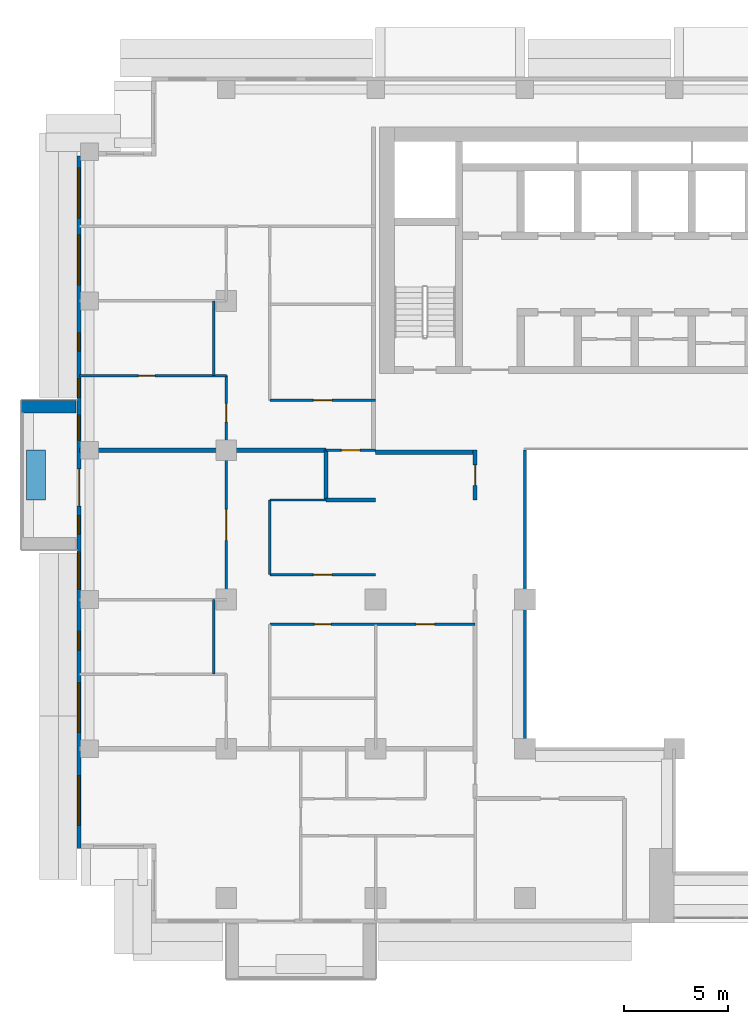
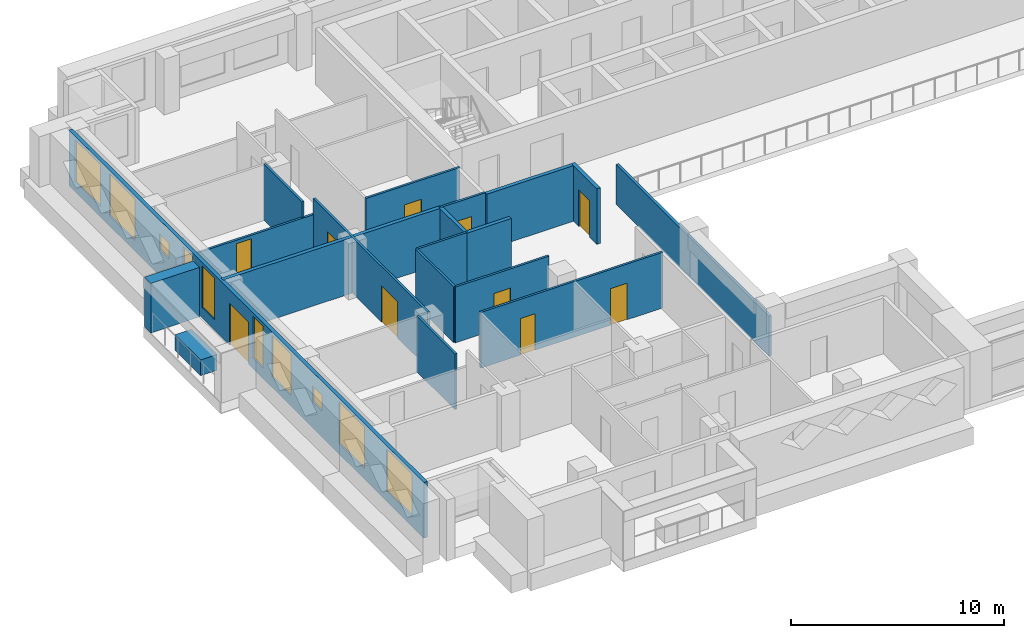
# One storey, part 7 of 20: 19 walls, 10 doors, 10 windows, 20 openings.
"""IFC4 building model written with IfcOpenShell, lengths in metres."""

from ifc_helpers import new_model, si_unit, direction, frame, frame_2d, origin, place, context, subcontext, project, spatial, rectangle, extrude, material, layer, layer_set, type_object, element, fill, save


model = new_model("IFC4")

# Units and contexts
model_context = context("Model", 3, precision=1e-05, world=origin(), true_north=direction((0.0, 1.0)))
body_context = subcontext(model_context, "Body", "Model", "MODEL_VIEW")
ifc_project = project(units=[si_unit("LENGTHUNIT", "METRE"), si_unit("AREAUNIT", "SQUARE_METRE"), si_unit("VOLUMEUNIT", "CUBIC_METRE"), si_unit("PLANEANGLEUNIT", "RADIAN"), si_unit("MASSUNIT", "GRAM", prefix="KILO")], contexts=[model_context])

# Site, building, storey
site_placement = place(None, origin())
site = spatial("IfcSite", under=ifc_project, at=site_placement, CompositionType="ELEMENT")
building_placement = place(site_placement, origin())
building = spatial("IfcBuilding", under=site, at=building_placement, Name="Saffron Iwan Residences", CompositionType="ELEMENT")
storey_placement = place(building_placement, frame((0.0, 0.0, 167.5)))
storey = spatial("IfcBuildingStorey", under=building, at=storey_placement, Name="L44", CompositionType="ELEMENT", Elevation=167.5)

# Walls
ifc_material_1 = material(Name="Fire-rated glazing", Category="glass")
ifc_layer_1 = layer(ifc_material_1, 0.14990234375)
ifc_layer_set_1 = layer_set([ifc_layer_1], Name="Fire-rated glazing")
wall_type_1 = type_object("IfcWallType", Name="Atrium glazed screen 150", PredefinedType="SOLIDWALL", material=ifc_layer_set_1)
wall_1_placement = place(storey_placement, frame((36.0, 48.0, 0.0), z_axis=(0.0, 0.0, 1.0), x_axis=(0.0, 1.0, 0.0)))
element("IfcWall", 1, at=wall_1_placement, inside=storey, type_object=wall_type_1, Name="W-L44-SCREEN-v36-48", PredefinedType="SOLIDWALL", context=body_context, shape_type="SweptSolid", body=[
    extrude(rectangle(XDim=14.39990234375, YDim=0.14990234375, at=frame_2d((7.199951171875, 0.0))), origin(), (0.0, 0.0, 1.0), 2.300048828125),
])
ifc_material_2 = material(Name="Concrete C50/60 white painted", Category="concrete")
ifc_layer_2 = layer(ifc_material_2, 0.60009765625)
ifc_layer_set_2 = layer_set([ifc_layer_2], Name="Concrete C50/60 white painted")
wall_type_2 = type_object("IfcWallType", Name="BALCONY FIN 600", PredefinedType="SOLIDWALL", material=ifc_layer_set_2)
wall_2_placement = place(storey_placement, frame((14.35009765625, 64.5, 0.0), z_axis=(0.0, 0.0, 1.0), x_axis=(-1.0, 0.0, 0.0)))
element("IfcWall", 2, at=wall_2_placement, inside=storey, type_object=wall_type_2, Name="Balcony fin L44 F8-0a", PredefinedType="SOLIDWALL", context=body_context, shape_type="SweptSolid", body=[
    extrude(rectangle(XDim=2.650146484375, YDim=0.60009765625, at=frame_2d((1.3251953125, 0.0))), origin(), (0.0, 0.0, 1.0), 2.85009765625),
])
ifc_material_3 = material(Name="Concrete C35/45 white painted", Category="concrete")
ifc_layer_3 = layer(ifc_material_3, 0.14990234375)
ifc_layer_set_3 = layer_set([ifc_layer_3], Name="Concrete C35/45 white painted")
wall_type_3 = type_object("IfcWallType", Name="BALCONY PLANTER", PredefinedType="SOLIDWALL", material=ifc_layer_set_3)
wall_3_placement = place(storey_placement, frame((12.425048828125, 62.39990234375, 0.0), z_axis=(0.0, 0.0, 1.0), x_axis=(0.0, -1.0, 0.0)))
element("IfcWall", 3, at=wall_3_placement, inside=storey, type_object=wall_type_3, Name="PLANTER L44 F8-0", PredefinedType="SOLIDWALL", context=body_context, shape_type="SweptSolid", body=[
    extrude(rectangle(XDim=2.39990234375, YDim=0.89990234375, at=frame_2d((1.199951171875, 0.0))), origin(), (0.0, 0.0, 1.0), 0.89990234375),
])

# Wall, openings, door, windows
ifc_material_4 = material(Name="Concrete C40/50", Category="concrete")
ifc_layer_4 = layer(ifc_material_4, 0.199951171875)
ifc_layer_set_4 = layer_set([ifc_layer_4], Name="Concrete C40/50")
wall_type_4 = type_object("IfcWallType", Name="EXTERNAL WALL 200", PredefinedType="SOLIDWALL", material=ifc_layer_set_4)
wall_4_placement = place(storey_placement, frame((14.5, 76.60009765625, 0.0), z_axis=(0.0, 0.0, 1.0), x_axis=(0.0, -1.0, 0.0)))
wall_4 = element("IfcWall", 4, at=wall_4_placement, inside=storey, type_object=wall_type_4, Name="External wall L44 F8.0", PredefinedType="SOLIDWALL", context=body_context, shape_type="SweptSolid", body=[
    extrude(rectangle(XDim=33.400146484375, YDim=0.199951171875, at=frame_2d((16.7001953125, 0.0))), origin(), (0.0, 0.0, 1.0), 3.199951171875),
])
opening_1_placement = place(wall_4_placement, frame((15.10009765625, 0.0, 0.0)))
opening_1 = element("IfcOpeningElement", 5, at=opening_1_placement, cuts=wall_4, Name="Opening BD1", PredefinedType="OPENING", context=body_context, shape_type="SweptSolid", body=[
    extrude(rectangle(XDim=1.800048828125, YDim=2.39990234375, at=frame_2d((0.89990234375, 1.199951171875))), frame((0.0, 0.10986328125, 0.0), z_axis=(0.0, -1.0, 0.0), x_axis=(1.0, 0.0, 0.0)), (0.0, 0.0, 1.0), 0.219970703125),
])
opening_2_placement = place(wall_4_placement, frame((29.887451171875, 0.0, 0.60009765625)))
opening_2 = element("IfcOpeningElement", 6, at=opening_2_placement, cuts=wall_4, Name="Opening W1", PredefinedType="OPENING", context=body_context, shape_type="SweptSolid", body=[
    extrude(rectangle(XDim=2.39990234375, YDim=2.39990234375, at=frame_2d((1.199951171875, 1.199951171875))), frame((0.0, 0.10986328125, 0.0), z_axis=(0.0, -1.0, 0.0), x_axis=(1.0, 0.0, 0.0)), (0.0, 0.0, 1.0), 0.219970703125),
])
opening_3_placement = place(wall_4_placement, frame((25.41259765625, 0.0, 0.60009765625)))
opening_3 = element("IfcOpeningElement", 7, at=opening_3_placement, cuts=wall_4, Name="Opening W1", PredefinedType="OPENING", context=body_context, shape_type="SweptSolid", body=[
    extrude(rectangle(XDim=2.39990234375, YDim=2.39990234375, at=frame_2d((1.199951171875, 1.199951171875))), frame((0.0, 0.10986328125, 0.0), z_axis=(0.0, -1.0, 0.0), x_axis=(1.0, 0.0, 0.0)), (0.0, 0.0, 1.0), 0.219970703125),
])
opening_4_placement = place(wall_4_placement, frame((22.9375, 0.0, 1.5)))
opening_4 = element("IfcOpeningElement", 8, at=opening_4_placement, cuts=wall_4, Name="Opening W6", PredefinedType="OPENING", context=body_context, shape_type="SweptSolid", body=[
    extrude(rectangle(XDim=0.89990234375, YDim=0.89990234375, at=frame_2d((0.449951171875, 0.449951171875))), frame((0.0, 0.10986328125, 0.0), z_axis=(0.0, -1.0, 0.0), x_axis=(1.0, 0.0, 0.0)), (0.0, 0.0, 1.0), 0.219970703125),
])
opening_5_placement = place(wall_4_placement, frame((17.35009765625, 0.0, 0.60009765625)))
opening_5 = element("IfcOpeningElement", 9, at=opening_5_placement, cuts=wall_4, Name="Opening W10", PredefinedType="OPENING", context=body_context, shape_type="SweptSolid", body=[
    extrude(rectangle(XDim=0.89990234375, YDim=2.39990234375, at=frame_2d((0.449951171875, 1.199951171875))), frame((0.0, 0.10986328125, 0.0), z_axis=(0.0, -1.0, 0.0), x_axis=(1.0, 0.0, 0.0)), (0.0, 0.0, 1.0), 0.219970703125),
])
opening_6_placement = place(wall_4_placement, frame((19.112548828125, 0.0, 0.60009765625)))
opening_6 = element("IfcOpeningElement", 10, at=opening_6_placement, cuts=wall_4, Name="Opening W8", PredefinedType="OPENING", context=body_context, shape_type="SweptSolid", body=[
    extrude(rectangle(XDim=1.800048828125, YDim=2.39990234375, at=frame_2d((0.89990234375, 1.199951171875))), frame((0.0, 0.10986328125, 0.0), z_axis=(0.0, -1.0, 0.0), x_axis=(1.0, 0.0, 0.0)), (0.0, 0.0, 1.0), 0.219970703125),
])
opening_7_placement = place(wall_4_placement, frame((10.75, 0.0, 0.60009765625)))
opening_7 = element("IfcOpeningElement", 11, at=opening_7_placement, cuts=wall_4, Name="Opening W10", PredefinedType="OPENING", context=body_context, shape_type="SweptSolid", body=[
    extrude(rectangle(XDim=0.89990234375, YDim=2.39990234375, at=frame_2d((0.449951171875, 1.199951171875))), frame((0.0, 0.10986328125, 0.0), z_axis=(0.0, -1.0, 0.0), x_axis=(1.0, 0.0, 0.0)), (0.0, 0.0, 1.0), 0.219970703125),
])
opening_8_placement = place(wall_4_placement, frame((12.512451171875, 0.0, 0.60009765625)))
opening_8 = element("IfcOpeningElement", 12, at=opening_8_placement, cuts=wall_4, Name="Opening W3", PredefinedType="OPENING", context=body_context, shape_type="SweptSolid", body=[
    extrude(rectangle(XDim=1.199951171875, YDim=2.39990234375, at=frame_2d((0.60009765625, 1.199951171875))), frame((0.0, 0.10986328125, 0.0), z_axis=(0.0, -1.0, 0.0), x_axis=(1.0, 0.0, 0.0)), (0.0, 0.0, 1.0), 0.219970703125),
])
opening_9_placement = place(wall_4_placement, frame((8.53759765625, 0.0, 1.5)))
opening_9 = element("IfcOpeningElement", 13, at=opening_9_placement, cuts=wall_4, Name="Opening W6", PredefinedType="OPENING", context=body_context, shape_type="SweptSolid", body=[
    extrude(rectangle(XDim=0.89990234375, YDim=0.89990234375, at=frame_2d((0.449951171875, 0.449951171875))), frame((0.0, 0.10986328125, 0.0), z_axis=(0.0, -1.0, 0.0), x_axis=(1.0, 0.0, 0.0)), (0.0, 0.0, 1.0), 0.219970703125),
])
opening_10_placement = place(wall_4_placement, frame((3.8125, 0.0, 0.60009765625)))
opening_10 = element("IfcOpeningElement", 14, at=opening_10_placement, cuts=wall_4, Name="Opening W1", PredefinedType="OPENING", context=body_context, shape_type="SweptSolid", body=[
    extrude(rectangle(XDim=2.39990234375, YDim=2.39990234375, at=frame_2d((1.199951171875, 1.199951171875))), frame((0.0, 0.10986328125, 0.0), z_axis=(0.0, -1.0, 0.0), x_axis=(1.0, 0.0, 0.0)), (0.0, 0.0, 1.0), 0.219970703125),
])
opening_11_placement = place(wall_4_placement, frame((0.60009765625, 0.0, 0.60009765625)))
opening_11 = element("IfcOpeningElement", 15, at=opening_11_placement, cuts=wall_4, Name="Opening W1", PredefinedType="OPENING", context=body_context, shape_type="SweptSolid", body=[
    extrude(rectangle(XDim=2.39990234375, YDim=2.39990234375, at=frame_2d((1.199951171875, 1.199951171875))), frame((0.0, 0.10986328125, 0.0), z_axis=(0.0, -1.0, 0.0), x_axis=(1.0, 0.0, 0.0)), (0.0, 0.0, 1.0), 0.219970703125),
])
ifc_material_5 = material(Name="Clear glass, laminated double glazed", Category="glass")
door_type_1 = type_object("IfcDoorType", Name="BALCONY DOOR 1800 x 2400", OperationType="DOUBLE_DOOR_SLIDING", PredefinedType="DOOR", material=ifc_material_5)
door_1_placement = place(opening_1_placement, origin())
door_1 = element("IfcDoor", 16, at=door_1_placement, inside=storey, type_object=door_type_1, Name="Balcony door L44 F8.0", OperationType="DOUBLE_DOOR_SLIDING", OverallHeight=2.39990234375, OverallWidth=1.800048828125, PredefinedType="DOOR", context=body_context, shape_type="SweptSolid", body=[
    extrude(rectangle(XDim=1.800048828125, YDim=2.39990234375, at=frame_2d((0.89990234375, 1.199951171875))), frame((0.0, 0.02490234375, 0.0), z_axis=(0.0, -1.0, 0.0), x_axis=(1.0, 0.0, 0.0)), (0.0, 0.0, 1.0), 0.050048828125),
])
fill(opening_1, door_1)
window_type_1 = type_object("IfcWindowType", Name="WINDOW 1200 x 2400", PartitioningType="SINGLE_PANEL", PredefinedType="WINDOW", material=ifc_material_5)
window_1_placement = place(opening_8_placement, origin())
window_1 = element("IfcWindow", 17, at=window_1_placement, inside=storey, type_object=window_type_1, Name="Window L44 F8.7", OverallHeight=2.39990234375, OverallWidth=1.199951171875, PartitioningType="SINGLE_PANEL", PredefinedType="WINDOW", context=body_context, shape_type="SweptSolid", body=[
    extrude(rectangle(XDim=1.199951171875, YDim=2.39990234375, at=frame_2d((0.60009765625, 1.199951171875))), frame((0.0, 0.030029296875, 0.0), z_axis=(0.0, -1.0, 0.0), x_axis=(1.0, 0.0, 0.0)), (0.0, 0.0, 1.0), 0.06005859375),
])
fill(opening_8, window_1)
window_type_2 = type_object("IfcWindowType", Name="WINDOW 1800 x 2400", PartitioningType="DOUBLE_PANEL_VERTICAL", PredefinedType="WINDOW", material=ifc_material_5)
window_2_placement = place(opening_6_placement, origin())
window_2 = element("IfcWindow", 18, at=window_2_placement, inside=storey, type_object=window_type_2, Name="Window L44 F8.5", OverallHeight=2.39990234375, OverallWidth=1.800048828125, PartitioningType="DOUBLE_PANEL_VERTICAL", PredefinedType="WINDOW", context=body_context, shape_type="SweptSolid", body=[
    extrude(rectangle(XDim=1.800048828125, YDim=2.39990234375, at=frame_2d((0.89990234375, 1.199951171875))), frame((0.0, 0.030029296875, 0.0), z_axis=(0.0, -1.0, 0.0), x_axis=(1.0, 0.0, 0.0)), (0.0, 0.0, 1.0), 0.06005859375),
])
fill(opening_6, window_2)
window_type_3 = type_object("IfcWindowType", Name="WINDOW 2400 x 2400", PartitioningType="DOUBLE_PANEL_VERTICAL", PredefinedType="WINDOW", material=ifc_material_5)
window_3_placement = place(opening_2_placement, origin())
window_3 = element("IfcWindow", 19, at=window_3_placement, inside=storey, type_object=window_type_3, Name="Window L44 F8.1", OverallHeight=2.39990234375, OverallWidth=2.39990234375, PartitioningType="DOUBLE_PANEL_VERTICAL", PredefinedType="WINDOW", context=body_context, shape_type="SweptSolid", body=[
    extrude(rectangle(XDim=2.39990234375, YDim=2.39990234375, at=frame_2d((1.199951171875, 1.199951171875))), frame((0.0, 0.030029296875, 0.0), z_axis=(0.0, -1.0, 0.0), x_axis=(1.0, 0.0, 0.0)), (0.0, 0.0, 1.0), 0.06005859375),
])
fill(opening_2, window_3)
window_4_placement = place(opening_3_placement, origin())
window_4 = element("IfcWindow", 20, at=window_4_placement, inside=storey, type_object=window_type_3, Name="Window L44 F8.2", OverallHeight=2.39990234375, OverallWidth=2.39990234375, PartitioningType="DOUBLE_PANEL_VERTICAL", PredefinedType="WINDOW", context=body_context, shape_type="SweptSolid", body=[
    extrude(rectangle(XDim=2.39990234375, YDim=2.39990234375, at=frame_2d((1.199951171875, 1.199951171875))), frame((0.0, 0.030029296875, 0.0), z_axis=(0.0, -1.0, 0.0), x_axis=(1.0, 0.0, 0.0)), (0.0, 0.0, 1.0), 0.06005859375),
])
fill(opening_3, window_4)
window_5_placement = place(opening_10_placement, origin())
window_5 = element("IfcWindow", 21, at=window_5_placement, inside=storey, type_object=window_type_3, Name="Window L44 F8.9", OverallHeight=2.39990234375, OverallWidth=2.39990234375, PartitioningType="DOUBLE_PANEL_VERTICAL", PredefinedType="WINDOW", context=body_context, shape_type="SweptSolid", body=[
    extrude(rectangle(XDim=2.39990234375, YDim=2.39990234375, at=frame_2d((1.199951171875, 1.199951171875))), frame((0.0, 0.030029296875, 0.0), z_axis=(0.0, -1.0, 0.0), x_axis=(1.0, 0.0, 0.0)), (0.0, 0.0, 1.0), 0.06005859375),
])
fill(opening_10, window_5)
window_6_placement = place(opening_11_placement, origin())
window_6 = element("IfcWindow", 22, at=window_6_placement, inside=storey, type_object=window_type_3, Name="Window L44 F8.10", OverallHeight=2.39990234375, OverallWidth=2.39990234375, PartitioningType="DOUBLE_PANEL_VERTICAL", PredefinedType="WINDOW", context=body_context, shape_type="SweptSolid", body=[
    extrude(rectangle(XDim=2.39990234375, YDim=2.39990234375, at=frame_2d((1.199951171875, 1.199951171875))), frame((0.0, 0.030029296875, 0.0), z_axis=(0.0, -1.0, 0.0), x_axis=(1.0, 0.0, 0.0)), (0.0, 0.0, 1.0), 0.06005859375),
])
fill(opening_11, window_6)
window_type_4 = type_object("IfcWindowType", Name="WINDOW 900 x 2400", PartitioningType="SINGLE_PANEL", PredefinedType="WINDOW", material=ifc_material_5)
window_7_placement = place(opening_5_placement, origin())
window_7 = element("IfcWindow", 23, at=window_7_placement, inside=storey, type_object=window_type_4, Name="Window L44 F8.4", OverallHeight=2.39990234375, OverallWidth=0.89990234375, PartitioningType="SINGLE_PANEL", PredefinedType="WINDOW", context=body_context, shape_type="SweptSolid", body=[
    extrude(rectangle(XDim=0.89990234375, YDim=2.39990234375, at=frame_2d((0.449951171875, 1.199951171875))), frame((0.0, 0.030029296875, 0.0), z_axis=(0.0, -1.0, 0.0), x_axis=(1.0, 0.0, 0.0)), (0.0, 0.0, 1.0), 0.06005859375),
])
fill(opening_5, window_7)
window_8_placement = place(opening_7_placement, origin())
window_8 = element("IfcWindow", 24, at=window_8_placement, inside=storey, type_object=window_type_4, Name="Window L44 F8.6", OverallHeight=2.39990234375, OverallWidth=0.89990234375, PartitioningType="SINGLE_PANEL", PredefinedType="WINDOW", context=body_context, shape_type="SweptSolid", body=[
    extrude(rectangle(XDim=0.89990234375, YDim=2.39990234375, at=frame_2d((0.449951171875, 1.199951171875))), frame((0.0, 0.030029296875, 0.0), z_axis=(0.0, -1.0, 0.0), x_axis=(1.0, 0.0, 0.0)), (0.0, 0.0, 1.0), 0.06005859375),
])
fill(opening_7, window_8)
window_type_5 = type_object("IfcWindowType", Name="WINDOW 900 x 900 BATH", PartitioningType="SINGLE_PANEL", PredefinedType="WINDOW", material=ifc_material_5)
window_9_placement = place(opening_4_placement, origin())
window_9 = element("IfcWindow", 25, at=window_9_placement, inside=storey, type_object=window_type_5, Name="Window L44 F8.3", OverallHeight=0.89990234375, OverallWidth=0.89990234375, PartitioningType="SINGLE_PANEL", PredefinedType="WINDOW", context=body_context, shape_type="SweptSolid", body=[
    extrude(rectangle(XDim=0.89990234375, YDim=0.89990234375, at=frame_2d((0.449951171875, 0.449951171875))), frame((0.0, 0.030029296875, 0.0), z_axis=(0.0, -1.0, 0.0), x_axis=(1.0, 0.0, 0.0)), (0.0, 0.0, 1.0), 0.06005859375),
])
fill(opening_4, window_9)
window_10_placement = place(opening_9_placement, origin())
window_10 = element("IfcWindow", 26, at=window_10_placement, inside=storey, type_object=window_type_5, Name="Window L44 F8.8", OverallHeight=0.89990234375, OverallWidth=0.89990234375, PartitioningType="SINGLE_PANEL", PredefinedType="WINDOW", context=body_context, shape_type="SweptSolid", body=[
    extrude(rectangle(XDim=0.89990234375, YDim=0.89990234375, at=frame_2d((0.449951171875, 0.449951171875))), frame((0.0, 0.030029296875, 0.0), z_axis=(0.0, -1.0, 0.0), x_axis=(1.0, 0.0, 0.0)), (0.0, 0.0, 1.0), 0.06005859375),
])
fill(opening_9, window_10)

# Walls
ifc_material_6 = material(Name="Fire-rated gypsum board wall")
ifc_layer_5 = layer(ifc_material_6, 0.199951171875)
ifc_layer_set_5 = layer_set([ifc_layer_5], Name="Fire-rated gypsum board wall")
wall_type_5 = type_object("IfcWallType", Name="Flat demising wall 200", PredefinedType="SOLIDWALL", material=ifc_layer_set_5)
wall_5_placement = place(storey_placement, frame((26.39990234375, 60.0, 0.0), z_axis=(0.0, 0.0, 1.0), x_axis=(1.0, 0.0, 0.0)))
element("IfcWall", 27, at=wall_5_placement, inside=storey, type_object=wall_type_5, Name="W-L44-DEMISE-h60-26.4", PredefinedType="SOLIDWALL", context=body_context, shape_type="SweptSolid", body=[
    extrude(rectangle(XDim=2.400146484375, YDim=0.199951171875, at=frame_2d((1.2001953125, 0.0))), origin(), (0.0, 0.0, 1.0), 3.199951171875),
])
wall_6_placement = place(storey_placement, frame((14.52490234375, 62.39990234375, 0.0), z_axis=(0.0, 0.0, 1.0), x_axis=(1.0, 0.0, 0.0)))
element("IfcWall", 28, at=wall_6_placement, inside=storey, type_object=wall_type_5, Name="W-L44-DEMISE-h62.4-14.525", PredefinedType="SOLIDWALL", context=body_context, shape_type="SweptSolid", body=[
    extrude(rectangle(XDim=11.875, YDim=0.199951171875, at=frame_2d((5.9375, 0.0))), origin(), (0.0, 0.0, 1.0), 3.199951171875),
])
wall_7_placement = place(storey_placement, frame((26.39990234375, 60.0, 0.0), z_axis=(0.0, 0.0, 1.0), x_axis=(0.0, 1.0, 0.0)))
element("IfcWall", 29, at=wall_7_placement, inside=storey, type_object=wall_type_5, Name="W-L44-DEMISE-v26.4-60", PredefinedType="SOLIDWALL", context=body_context, shape_type="SweptSolid", body=[
    extrude(rectangle(XDim=2.39990234375, YDim=0.199951171875, at=frame_2d((1.199951171875, 0.0))), origin(), (0.0, 0.0, 1.0), 3.199951171875),
])

# Wall, openings, doors
ifc_material_7 = material(Name="Gypsum board partition")
ifc_layer_6 = layer(ifc_material_7, 0.1201171875)
ifc_layer_set_6 = layer_set([ifc_layer_6], Name="Gypsum board partition")
wall_type_6 = type_object("IfcWallType", Name="Flat partition 120", PredefinedType="PARTITIONING", material=ifc_layer_set_6)
wall_8_placement = place(storey_placement, frame((23.699951171875, 54.0, 0.0), z_axis=(0.0, 0.0, 1.0), x_axis=(1.0, 0.0, 0.0)))
wall_8 = element("IfcWall", 30, at=wall_8_placement, inside=storey, type_object=wall_type_6, Name="W-L44-PART-h54-23.7", PredefinedType="PARTITIONING", context=body_context, shape_type="SweptSolid", body=[
    extrude(rectangle(XDim=9.900146484375, YDim=0.1201171875, at=frame_2d((4.9501953125, 0.0))), origin(), (0.0, 0.0, 1.0), 3.199951171875),
])
opening_12_placement = place(wall_8_placement, frame((2.14990234375, 0.0, 0.0)))
opening_12 = element("IfcOpeningElement", 31, at=opening_12_placement, cuts=wall_8, Name="Opening FD3", PredefinedType="OPENING", context=body_context, shape_type="SweptSolid", body=[
    extrude(rectangle(XDim=0.800048828125, YDim=2.10009765625, at=frame_2d((0.39990234375, 1.050048828125))), frame((0.0, 0.070068359375, 0.0), z_axis=(0.0, -1.0, 0.0), x_axis=(1.0, 0.0, 0.0)), (0.0, 0.0, 1.0), 0.14013671875),
])
opening_13_placement = place(wall_8_placement, frame((7.050048828125, 0.0, 0.0)))
opening_13 = element("IfcOpeningElement", 32, at=opening_13_placement, cuts=wall_8, Name="Opening FD2", PredefinedType="OPENING", context=body_context, shape_type="SweptSolid", body=[
    extrude(rectangle(XDim=0.89990234375, YDim=2.10009765625, at=frame_2d((0.449951171875, 1.050048828125))), frame((0.0, 0.070068359375, 0.0), z_axis=(0.0, -1.0, 0.0), x_axis=(1.0, 0.0, 0.0)), (0.0, 0.0, 1.0), 0.14013671875),
])
ifc_material_8 = material(Name="Timber door", Category="wood")
door_type_2 = type_object("IfcDoorType", Name="Bathroom door 800", OperationType="NOTDEFINED", PredefinedType="DOOR", material=ifc_material_8)
door_2_placement = place(opening_12_placement, origin())
door_2 = element("IfcDoor", 33, at=door_2_placement, inside=storey, type_object=door_type_2, Name="Door L44-013", OperationType="SINGLE_SWING_LEFT", OverallHeight=2.10009765625, OverallWidth=0.800048828125, PredefinedType="DOOR", context=body_context, shape_type="SweptSolid", body=[
    extrude(rectangle(XDim=0.800048828125, YDim=2.10009765625, at=frame_2d((0.39990234375, 1.050048828125))), frame((0.0, 0.02490234375, 0.0), z_axis=(0.0, -1.0, 0.0), x_axis=(1.0, 0.0, 0.0)), (0.0, 0.0, 1.0), 0.050048828125),
])
fill(opening_12, door_2)
door_type_3 = type_object("IfcDoorType", Name="Flat door 900", OperationType="NOTDEFINED", PredefinedType="DOOR", material=ifc_material_8)
door_3_placement = place(opening_13_placement, origin())
door_3 = element("IfcDoor", 34, at=door_3_placement, inside=storey, type_object=door_type_3, Name="Door L44-015", OperationType="SINGLE_SWING_LEFT", OverallHeight=2.10009765625, OverallWidth=0.89990234375, PredefinedType="DOOR", context=body_context, shape_type="SweptSolid", body=[
    extrude(rectangle(XDim=0.89990234375, YDim=2.10009765625, at=frame_2d((0.449951171875, 1.050048828125))), frame((0.0, 0.02490234375, 0.0), z_axis=(0.0, -1.0, 0.0), x_axis=(1.0, 0.0, 0.0)), (0.0, 0.0, 1.0), 0.050048828125),
])
fill(opening_13, door_3)

# Wall, opening, door
wall_9_placement = place(storey_placement, frame((23.699951171875, 56.39990234375, 0.0), z_axis=(0.0, 0.0, 1.0), x_axis=(1.0, 0.0, 0.0)))
wall_9 = element("IfcWall", 35, at=wall_9_placement, inside=storey, type_object=wall_type_6, Name="W-L44-PART-h56.4-23.7", PredefinedType="PARTITIONING", context=body_context, shape_type="SweptSolid", body=[
    extrude(rectangle(XDim=5.10009765625, YDim=0.1201171875, at=frame_2d((2.550048828125, 0.0))), origin(), (0.0, 0.0, 1.0), 3.199951171875),
])
opening_14_placement = place(wall_9_placement, frame((2.10009765625, 0.0, 0.0)))
opening_14 = element("IfcOpeningElement", 36, at=opening_14_placement, cuts=wall_9, Name="Opening FD2", PredefinedType="OPENING", context=body_context, shape_type="SweptSolid", body=[
    extrude(rectangle(XDim=0.89990234375, YDim=2.10009765625, at=frame_2d((0.449951171875, 1.050048828125))), frame((0.0, 0.070068359375, 0.0), z_axis=(0.0, -1.0, 0.0), x_axis=(1.0, 0.0, 0.0)), (0.0, 0.0, 1.0), 0.14013671875),
])
door_4_placement = place(opening_14_placement, origin())
door_4 = element("IfcDoor", 37, at=door_4_placement, inside=storey, type_object=door_type_3, Name="Door L44-014", OperationType="SINGLE_SWING_RIGHT", OverallHeight=2.10009765625, OverallWidth=0.89990234375, PredefinedType="DOOR", context=body_context, shape_type="SweptSolid", body=[
    extrude(rectangle(XDim=0.89990234375, YDim=2.10009765625, at=frame_2d((0.449951171875, 1.050048828125))), frame((0.0, 0.02490234375, 0.0), z_axis=(0.0, -1.0, 0.0), x_axis=(1.0, 0.0, 0.0)), (0.0, 0.0, 1.0), 0.050048828125),
])
fill(opening_14, door_4)

# Wall
wall_10_placement = place(storey_placement, frame((23.699951171875, 60.0, 0.0), z_axis=(0.0, 0.0, 1.0), x_axis=(1.0, 0.0, 0.0)))
element("IfcWall", 38, at=wall_10_placement, inside=storey, type_object=wall_type_6, Name="W-L44-PART-h60-23.7", PredefinedType="PARTITIONING", context=body_context, shape_type="SweptSolid", body=[
    extrude(rectangle(XDim=2.699951171875, YDim=0.1201171875, at=frame_2d((1.35009765625, 0.0))), origin(), (0.0, 0.0, 1.0), 3.199951171875),
])

# Wall, opening, door
wall_11_placement = place(storey_placement, frame((26.39990234375, 62.39990234375, 0.0), z_axis=(0.0, 0.0, 1.0), x_axis=(1.0, 0.0, 0.0)))
wall_11 = element("IfcWall", 39, at=wall_11_placement, inside=storey, type_object=wall_type_6, Name="W-L44-PART-h62.4-26.4", PredefinedType="PARTITIONING", context=body_context, shape_type="SweptSolid", body=[
    extrude(rectangle(XDim=2.400146484375, YDim=0.1201171875, at=frame_2d((1.2001953125, 0.0))), origin(), (0.0, 0.0, 1.0), 3.199951171875),
])
opening_15_placement = place(wall_11_placement, frame((0.75, 0.0, 0.0)))
opening_15 = element("IfcOpeningElement", 40, at=opening_15_placement, cuts=wall_11, Name="Opening FD2", PredefinedType="OPENING", context=body_context, shape_type="SweptSolid", body=[
    extrude(rectangle(XDim=0.89990234375, YDim=2.10009765625, at=frame_2d((0.449951171875, 1.050048828125))), frame((0.0, 0.070068359375, 0.0), z_axis=(0.0, -1.0, 0.0), x_axis=(1.0, 0.0, 0.0)), (0.0, 0.0, 1.0), 0.14013671875),
])
door_5_placement = place(opening_15_placement, origin())
door_5 = element("IfcDoor", 41, at=door_5_placement, inside=storey, type_object=door_type_3, Name="Door L44-025", OperationType="SINGLE_SWING_LEFT", OverallHeight=2.10009765625, OverallWidth=0.89990234375, PredefinedType="DOOR", context=body_context, shape_type="SweptSolid", body=[
    extrude(rectangle(XDim=0.89990234375, YDim=2.10009765625, at=frame_2d((0.449951171875, 1.050048828125))), frame((0.0, 0.02490234375, 0.0), z_axis=(0.0, -1.0, 0.0), x_axis=(1.0, 0.0, 0.0)), (0.0, 0.0, 1.0), 0.050048828125),
])
fill(opening_15, door_5)

wall_12_placement = place(storey_placement, frame((23.699951171875, 64.800048828125, 0.0), z_axis=(0.0, 0.0, 1.0), x_axis=(1.0, 0.0, 0.0)))
wall_12 = element("IfcWall", 42, at=wall_12_placement, inside=storey, type_object=wall_type_6, Name="W-L44-PART-h64.8-23.7", PredefinedType="PARTITIONING", context=body_context, shape_type="SweptSolid", body=[
    extrude(rectangle(XDim=5.10009765625, YDim=0.1201171875, at=frame_2d((2.550048828125, 0.0))), origin(), (0.0, 0.0, 1.0), 3.199951171875),
])
opening_16_placement = place(wall_12_placement, frame((2.10009765625, 0.0, 0.0)))
opening_16 = element("IfcOpeningElement", 43, at=opening_16_placement, cuts=wall_12, Name="Opening FD2", PredefinedType="OPENING", context=body_context, shape_type="SweptSolid", body=[
    extrude(rectangle(XDim=0.89990234375, YDim=2.10009765625, at=frame_2d((0.449951171875, 1.050048828125))), frame((0.0, 0.070068359375, 0.0), z_axis=(0.0, -1.0, 0.0), x_axis=(1.0, 0.0, 0.0)), (0.0, 0.0, 1.0), 0.14013671875),
])
door_6_placement = place(opening_16_placement, origin())
door_6 = element("IfcDoor", 44, at=door_6_placement, inside=storey, type_object=door_type_3, Name="Door L44-031", OperationType="SINGLE_SWING_LEFT", OverallHeight=2.10009765625, OverallWidth=0.89990234375, PredefinedType="DOOR", context=body_context, shape_type="SweptSolid", body=[
    extrude(rectangle(XDim=0.89990234375, YDim=2.10009765625, at=frame_2d((0.449951171875, 1.050048828125))), frame((0.0, 0.02490234375, 0.0), z_axis=(0.0, -1.0, 0.0), x_axis=(1.0, 0.0, 0.0)), (0.0, 0.0, 1.0), 0.050048828125),
])
fill(opening_16, door_6)

wall_13_placement = place(storey_placement, frame((14.52490234375, 66.0, 0.0), z_axis=(0.0, 0.0, 1.0), x_axis=(1.0, 0.0, 0.0)))
wall_13 = element("IfcWall", 45, at=wall_13_placement, inside=storey, type_object=wall_type_6, Name="W-L44-PART-h66-14.525", PredefinedType="PARTITIONING", context=body_context, shape_type="SweptSolid", body=[
    extrude(rectangle(XDim=7.0751953125, YDim=0.1201171875, at=frame_2d((3.53759765625, 0.0))), origin(), (0.0, 0.0, 1.0), 2.300048828125),
])
opening_17_placement = place(wall_13_placement, frame((2.83740234375, 0.0, 0.0)))
opening_17 = element("IfcOpeningElement", 46, at=opening_17_placement, cuts=wall_13, Name="Opening FD3", PredefinedType="OPENING", context=body_context, shape_type="SweptSolid", body=[
    extrude(rectangle(XDim=0.800048828125, YDim=2.10009765625, at=frame_2d((0.39990234375, 1.050048828125))), frame((0.0, 0.070068359375, 0.0), z_axis=(0.0, -1.0, 0.0), x_axis=(1.0, 0.0, 0.0)), (0.0, 0.0, 1.0), 0.14013671875),
])
door_7_placement = place(opening_17_placement, origin())
door_7 = element("IfcDoor", 47, at=door_7_placement, inside=storey, type_object=door_type_2, Name="Door L44-028", OperationType="SINGLE_SWING_LEFT", OverallHeight=2.10009765625, OverallWidth=0.800048828125, PredefinedType="DOOR", context=body_context, shape_type="SweptSolid", body=[
    extrude(rectangle(XDim=0.800048828125, YDim=2.10009765625, at=frame_2d((0.39990234375, 1.050048828125))), frame((0.0, 0.02490234375, 0.0), z_axis=(0.0, -1.0, 0.0), x_axis=(1.0, 0.0, 0.0)), (0.0, 0.0, 1.0), 0.050048828125),
])
fill(opening_17, door_7)

# Walls
wall_14_placement = place(storey_placement, frame((21.0, 51.60009765625, 0.0), z_axis=(0.0, 0.0, 1.0), x_axis=(0.0, 1.0, 0.0)))
element("IfcWall", 48, at=wall_14_placement, inside=storey, type_object=wall_type_6, Name="W-L44-PART-v21-51.6", PredefinedType="PARTITIONING", context=body_context, shape_type="SweptSolid", body=[
    extrude(rectangle(XDim=3.599853515625, YDim=0.1201171875, at=frame_2d((1.7998046875, 0.0))), origin(), (0.0, 0.0, 1.0), 3.199951171875),
])
wall_15_placement = place(storey_placement, frame((21.0, 66.0, 0.0), z_axis=(0.0, 0.0, 1.0), x_axis=(0.0, 1.0, 0.0)))
element("IfcWall", 49, at=wall_15_placement, inside=storey, type_object=wall_type_6, Name="W-L44-PART-v21-66", PredefinedType="PARTITIONING", context=body_context, shape_type="SweptSolid", body=[
    extrude(rectangle(XDim=3.60009765625, YDim=0.1201171875, at=frame_2d((1.800048828125, 0.0))), origin(), (0.0, 0.0, 1.0), 3.199951171875),
])

# Wall, openings, doors
wall_16_placement = place(storey_placement, frame((21.60009765625, 55.199951171875, 0.0), z_axis=(0.0, 0.0, 1.0), x_axis=(0.0, 1.0, 0.0)))
wall_16 = element("IfcWall", 50, at=wall_16_placement, inside=storey, type_object=wall_type_6, Name="W-L44-PART-v21.6-55.2", PredefinedType="PARTITIONING", context=body_context, shape_type="SweptSolid", body=[
    extrude(rectangle(XDim=10.800048828125, YDim=0.1201171875, at=frame_2d((5.39990234375, 0.0))), origin(), (0.0, 0.0, 1.0), 3.199951171875),
])
opening_18_placement = place(wall_16_placement, frame((2.85009765625, 0.0, 0.0)))
opening_18 = element("IfcOpeningElement", 51, at=opening_18_placement, cuts=wall_16, Name="Opening FD4", PredefinedType="OPENING", context=body_context, shape_type="SweptSolid", body=[
    extrude(rectangle(XDim=1.5, YDim=2.10009765625, at=frame_2d((0.75, 1.050048828125))), frame((0.0, 0.070068359375, 0.0), z_axis=(0.0, -1.0, 0.0), x_axis=(1.0, 0.0, 0.0)), (0.0, 0.0, 1.0), 0.14013671875),
])
opening_19_placement = place(wall_16_placement, frame((8.550048828125, 0.0, 0.0)))
opening_19 = element("IfcOpeningElement", 52, at=opening_19_placement, cuts=wall_16, Name="Opening FD2", PredefinedType="OPENING", context=body_context, shape_type="SweptSolid", body=[
    extrude(rectangle(XDim=0.89990234375, YDim=2.10009765625, at=frame_2d((0.449951171875, 1.050048828125))), frame((0.0, 0.070068359375, 0.0), z_axis=(0.0, -1.0, 0.0), x_axis=(1.0, 0.0, 0.0)), (0.0, 0.0, 1.0), 0.14013671875),
])
door_type_4 = type_object("IfcDoorType", Name="Double door 1500", OperationType="NOTDEFINED", PredefinedType="DOOR", material=ifc_material_8)
door_8_placement = place(opening_18_placement, origin())
door_8 = element("IfcDoor", 53, at=door_8_placement, inside=storey, type_object=door_type_4, Name="Door L44-011", OperationType="SINGLE_SWING_RIGHT", OverallHeight=2.10009765625, OverallWidth=1.5, PredefinedType="DOOR", context=body_context, shape_type="SweptSolid", body=[
    extrude(rectangle(XDim=1.5, YDim=2.10009765625, at=frame_2d((0.75, 1.050048828125))), frame((0.0, 0.02490234375, 0.0), z_axis=(0.0, -1.0, 0.0), x_axis=(1.0, 0.0, 0.0)), (0.0, 0.0, 1.0), 0.050048828125),
])
fill(opening_18, door_8)
door_9_placement = place(opening_19_placement, origin())
door_9 = element("IfcDoor", 54, at=door_9_placement, inside=storey, type_object=door_type_3, Name="Door L44-027", OperationType="SINGLE_SWING_LEFT", OverallHeight=2.10009765625, OverallWidth=0.89990234375, PredefinedType="DOOR", context=body_context, shape_type="SweptSolid", body=[
    extrude(rectangle(XDim=0.89990234375, YDim=2.10009765625, at=frame_2d((0.449951171875, 1.050048828125))), frame((0.0, 0.02490234375, 0.0), z_axis=(0.0, -1.0, 0.0), x_axis=(1.0, 0.0, 0.0)), (0.0, 0.0, 1.0), 0.050048828125),
])
fill(opening_19, door_9)

# Walls
wall_17_placement = place(storey_placement, frame((23.699951171875, 56.39990234375, 0.0), z_axis=(0.0, 0.0, 1.0), x_axis=(0.0, 1.0, 0.0)))
element("IfcWall", 55, at=wall_17_placement, inside=storey, type_object=wall_type_6, Name="W-L44-PART-v23.7-56.4", PredefinedType="PARTITIONING", context=body_context, shape_type="SweptSolid", body=[
    extrude(rectangle(XDim=3.60009765625, YDim=0.1201171875, at=frame_2d((1.800048828125, 0.0))), origin(), (0.0, 0.0, 1.0), 3.199951171875),
])
ifc_layer_7 = layer(ifc_material_6, 0.199951171875)
ifc_layer_set_7 = layer_set([ifc_layer_7], Name="Fire-rated gypsum board wall")
wall_type_7 = type_object("IfcWallType", Name="Gallery wall 200", PredefinedType="SOLIDWALL", material=ifc_layer_set_7)
wall_18_placement = place(storey_placement, frame((28.800048828125, 62.300048828125, 0.0), z_axis=(0.0, 0.0, 1.0), x_axis=(1.0, 0.0, 0.0)))
element("IfcWall", 56, at=wall_18_placement, inside=storey, type_object=wall_type_7, Name="W-L44-CORR-h62.4-28.8", PredefinedType="SOLIDWALL", context=body_context, shape_type="SweptSolid", body=[
    extrude(rectangle(XDim=4.800048828125, YDim=0.199951171875, at=frame_2d((2.39990234375, 0.0))), origin(), (0.0, 0.0, 1.0), 3.199951171875),
])

# Wall, opening, door
wall_19_placement = place(storey_placement, frame((33.60009765625, 60.0, 0.0), z_axis=(0.0, 0.0, 1.0), x_axis=(0.0, 1.0, 0.0)))
wall_19 = element("IfcWall", 57, at=wall_19_placement, inside=storey, type_object=wall_type_7, Name="W-L44-CORR-v33.6-60", PredefinedType="SOLIDWALL", context=body_context, shape_type="SweptSolid", body=[
    extrude(rectangle(XDim=2.39990234375, YDim=0.199951171875, at=frame_2d((1.199951171875, 0.0))), origin(), (0.0, 0.0, 1.0), 3.199951171875),
])
opening_20_placement = place(wall_19_placement, frame((0.699951171875, 0.0, 0.0)))
opening_20 = element("IfcOpeningElement", 58, at=opening_20_placement, cuts=wall_19, Name="Opening FD5", PredefinedType="OPENING", context=body_context, shape_type="SweptSolid", body=[
    extrude(rectangle(XDim=1.0, YDim=2.10009765625, at=frame_2d((0.5, 1.050048828125))), frame((0.0, 0.10986328125, 0.0), z_axis=(0.0, -1.0, 0.0), x_axis=(1.0, 0.0, 0.0)), (0.0, 0.0, 1.0), 0.219970703125),
])
ifc_material_9 = material(Name="Fire-rated timber door", Category="wood")
door_type_5 = type_object("IfcDoorType", Name="Lobby door 1000", OperationType="NOTDEFINED", PredefinedType="DOOR", material=ifc_material_9)
door_10_placement = place(opening_20_placement, origin())
door_10 = element("IfcDoor", 59, at=door_10_placement, inside=storey, type_object=door_type_5, Name="Door L44-026", OperationType="SINGLE_SWING_RIGHT", OverallHeight=2.10009765625, OverallWidth=1.0, PredefinedType="DOOR", context=body_context, shape_type="SweptSolid", body=[
    extrude(rectangle(XDim=1.0, YDim=2.10009765625, at=frame_2d((0.5, 1.050048828125))), frame((0.0, 0.02490234375, 0.0), z_axis=(0.0, -1.0, 0.0), x_axis=(1.0, 0.0, 0.0)), (0.0, 0.0, 1.0), 0.050048828125),
])
fill(opening_20, door_10)

save(model, "model.ifc")
